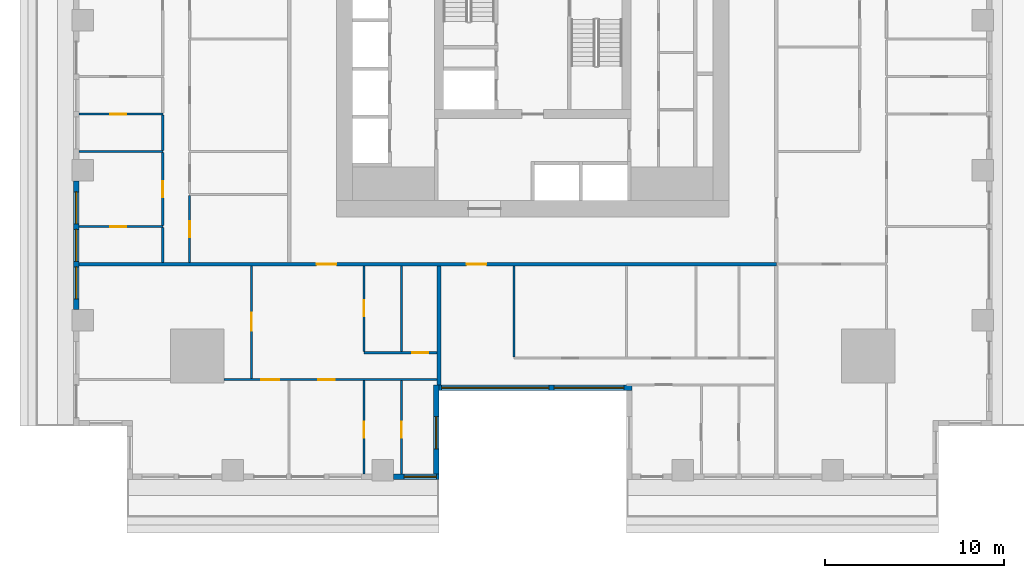
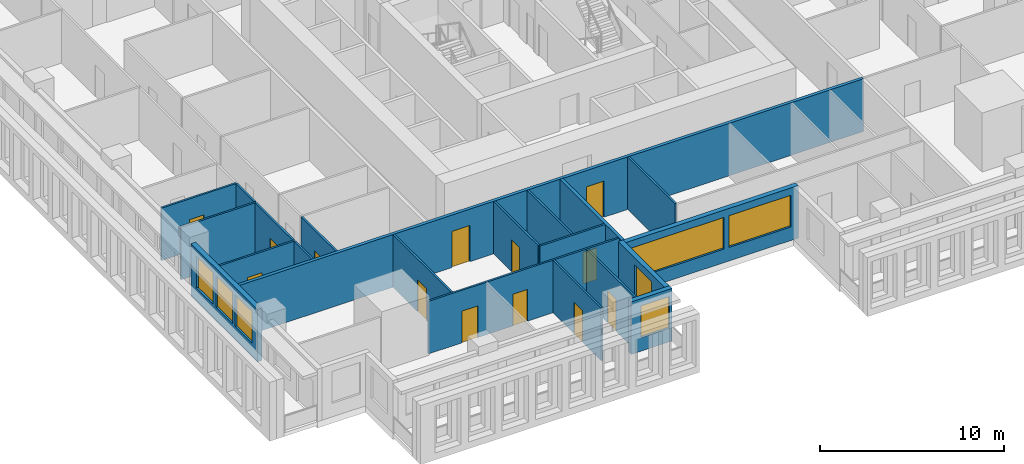
# One storey, part 2 of 15: 21 walls, 13 doors, 7 windows, 20 openings.
"""IFC4 building model written with IfcOpenShell, lengths in metres."""

import ifcopenshell
import ifcopenshell.guid

model = None  # the IFC model being written
_history = None  # IfcOwnerHistory: only IFC2X3 demands one
_inside = {}  # id of a spatial element -> (the spatial element, [elements in it])
_under = {}  # id of a project, library or spatial element -> (it, [spatial elements below it])
_declared = {}  # id of a project -> (the project, [libraries it declares])
_typed = {}  # id of a type object -> (the type object, [elements of that type])
_made_of = {}  # id of a material, layer set ... -> (it, [elements and type objects made of it])


def new_model(schema):
    """Start an empty IFC model of exactly this schema.

    Asked for "IFC4X3", IfcOpenShell would pick the latest addendum, in which some entities
    have other attributes; the version numbers below select the first issue.
    IFC2X3 requires an IfcOwnerHistory on every rooted entity: one is made here for all.
    """
    global model, _history
    if schema == "IFC4X3":
        model = ifcopenshell.file(schema_version=(4, 3, 0, 0))
    else:
        model = ifcopenshell.file(schema=schema)
    _inside.clear()
    _under.clear()
    _declared.clear()
    _typed.clear()
    _made_of.clear()
    _history = None
    if model.schema == "IFC2X3":
        org = make("IfcOrganization", Name="unknown")
        user = make(
            "IfcPersonAndOrganization",
            ThePerson=make("IfcPerson", FamilyName="unknown"),
            TheOrganization=org,
        )
        app = make(
            "IfcApplication",
            ApplicationDeveloper=org,
            Version="unknown",
            ApplicationFullName="unknown",
            ApplicationIdentifier="unknown",
        )
        _history = make(
            "IfcOwnerHistory",
            OwningUser=user,
            OwningApplication=app,
            ChangeAction="ADDED",
            CreationDate=0,
        )
    return model


def make(cls, **values):
    """One entity of the class cls with the attributes given. An attribute that is None is left unset."""
    return model.create_entity(
        cls, **{name: value for name, value in values.items() if value is not None}
    )


def rooted(cls, **values):
    """An entity with a GlobalId (a new one), such as an element, a storey or a relation."""
    return make(cls, GlobalId=ifcopenshell.guid.new(), OwnerHistory=_history, **values)


def si_unit(unit_type, name, prefix=None):
    """IfcSIUnit, for example si_unit("LENGTHUNIT", "METRE", prefix="MILLI")."""
    return make("IfcSIUnit", UnitType=unit_type, Prefix=prefix, Name=name)


def assignment(units):
    """IfcUnitAssignment: the units of a project."""
    return None if units is None else make("IfcUnitAssignment", Units=units)


def point(xyz):
    """IfcCartesianPoint."""
    return None if xyz is None else make("IfcCartesianPoint", Coordinates=xyz)


def direction(xyz):
    """IfcDirection."""
    return None if xyz is None else make("IfcDirection", DirectionRatios=xyz)


def frame(location, z_axis=None, x_axis=None):
    """IfcAxis2Placement3D, a coordinate frame: its origin and axes. An axis left out is left unset."""
    return make(
        "IfcAxis2Placement3D",
        Location=point(location),
        Axis=direction(z_axis),
        RefDirection=direction(x_axis),
    )


def frame_2d(location, x_axis=None):
    """IfcAxis2Placement2D, a coordinate frame in the plane: its origin and x axis."""
    return make(
        "IfcAxis2Placement2D", Location=point(location), RefDirection=direction(x_axis)
    )


def origin():
    """The frame at (0, 0, 0) with its axes left unset."""
    return frame((0.0, 0.0, 0.0))


def place(relative_to, where):
    """IfcLocalPlacement: puts the frame where relative to a parent placement (None: the world)."""
    return make(
        "IfcLocalPlacement", PlacementRelTo=relative_to, RelativePlacement=where
    )


def context(
    kind, dimensions, precision=None, world=None, true_north=None, identifier=None
):
    """IfcGeometricRepresentationContext, for example the 3D "Model" context."""
    return make(
        "IfcGeometricRepresentationContext",
        ContextIdentifier=identifier,
        ContextType=kind,
        CoordinateSpaceDimension=dimensions,
        Precision=precision,
        WorldCoordinateSystem=world,
        TrueNorth=true_north,
    )


def subcontext(parent, identifier, kind, view, scale=None):
    """IfcGeometricRepresentationSubContext, for example "Body" below "Model"."""
    return make(
        "IfcGeometricRepresentationSubContext",
        ContextIdentifier=identifier,
        ContextType=kind,
        ParentContext=parent,
        TargetScale=scale,
        TargetView=view,
    )


def project(units=None, contexts=None):
    """IfcProject with its units and contexts."""
    return rooted(
        "IfcProject",
        Name="project",
        RepresentationContexts=contexts,
        UnitsInContext=assignment(units),
    )


def spatial(cls, under=None, at=None, **own):
    """A site, building, storey or space (cls), placed at a placement, below another one or the project."""
    s = rooted(cls, ObjectPlacement=at, **own)
    if under is not None:
        _under.setdefault(under.id(), (under, []))[1].append(s)
    return s


def profile(cls, at=None, kind="AREA", **sizes):
    """A parametric profile (cls). Its sizes go by their IFC names, for example OverallWidth=200.0."""
    return make(cls, ProfileType=kind, Position=at, **sizes)


def rectangle(**sizes):
    """IfcRectangleProfileDef."""
    return profile("IfcRectangleProfileDef", **sizes)


def extrude(swept, where, along, depth):
    """IfcExtrudedAreaSolid: the profile swept, set in the frame where, extruded along a direction by depth."""
    return make(
        "IfcExtrudedAreaSolid",
        SweptArea=swept,
        Position=where,
        ExtrudedDirection=direction(along),
        Depth=depth,
    )


def shape(context_of_items, identifier, shape_type, items):
    """IfcShapeRepresentation: the items that make up one representation, for example the "Body"."""
    return make(
        "IfcShapeRepresentation",
        ContextOfItems=context_of_items,
        RepresentationIdentifier=identifier,
        RepresentationType=shape_type,
        Items=items,
    )


def material(Name=None, Category=None):
    """IfcMaterial."""
    return make("IfcMaterial", Name=Name, Category=Category)


def layer(
    of_material, thickness, ventilated=None, Name=None, Category=None, Priority=None
):
    """IfcMaterialLayer: one layer of a wall or slab, of a material (None: an air gap)."""
    return make(
        "IfcMaterialLayer",
        Material=of_material,
        LayerThickness=thickness,
        IsVentilated=ventilated,
        Name=Name,
        Category=Category,
        Priority=Priority,
    )


def layer_set(layers, Name=None):
    """IfcMaterialLayerSet."""
    return make("IfcMaterialLayerSet", MaterialLayers=layers, LayerSetName=Name)


def made_of(thing, what):
    """Note that an element or type object is made of a material, layer set ...; save() writes the relation."""
    if what is not None:
        _made_of.setdefault(what.id(), (what, []))[1].append(thing)
    return thing


def type_object(cls, material=None, **own):
    """A type object (cls), such as IfcWallType, which elements share."""
    return made_of(rooted(cls, **own), material)


def element(
    cls,
    number,
    at=None,
    inside=None,
    cuts=None,
    type_object=None,
    material=None,
    context=None,
    identifier="Body",
    shape_type=None,
    held_by="IfcProductDefinitionShape",
    body=None,
    shapes=None,
    **own,
):
    """One element of the class cls, such as IfcWall. Its Tag is "e" and its number.

    at: its placement. inside: the storey or other place that contains it. cuts: it is an
    opening in that element (IfcRelVoidsElement). A single representation is given by context,
    identifier, shape_type and body (its items); several are given by shapes. held_by: the class
    of the entity that holds the representations. save() writes the other relations.
    """
    e = rooted(cls, Tag="e%d" % number, ObjectPlacement=at, **own)
    if body is not None:
        shapes = [shape(context, identifier, shape_type, body)]
    if shapes is not None:
        e.Representation = make(held_by, Representations=shapes)
    if inside is not None:
        _inside.setdefault(inside.id(), (inside, []))[1].append(e)
    if cuts is not None:
        rooted(
            "IfcRelVoidsElement", RelatingBuildingElement=cuts, RelatedOpeningElement=e
        )
    if type_object is not None:
        _typed.setdefault(type_object.id(), (type_object, []))[1].append(e)
    return made_of(e, material)


def fill(opening, filler):
    """IfcRelFillsElement: the door or window that sits in an opening."""
    return rooted(
        "IfcRelFillsElement",
        RelatingOpeningElement=opening,
        RelatedBuildingElement=filler,
    )


def aggregate(whole, parts):
    """IfcRelAggregates: a whole, such as a stair, and the parts it consists of."""
    return rooted("IfcRelAggregates", RelatingObject=whole, RelatedObjects=parts)


def save(model, path):
    """Write the relations noted so far, then the file.

    IfcRelAggregates (storeys below a building ...), IfcRelContainedInSpatialStructure (elements
    in a storey), IfcRelDefinesByType, IfcRelAssociatesMaterial and IfcRelDeclares: one each for
    every whole, place, type object, material and project.
    """
    for whole, parts in _under.values():
        aggregate(whole, parts)
    for where, things in _inside.values():
        rooted(
            "IfcRelContainedInSpatialStructure",
            RelatedElements=things,
            RelatingStructure=where,
        )
    for kind, things in _typed.values():
        rooted("IfcRelDefinesByType", RelatedObjects=things, RelatingType=kind)
    for what, things in _made_of.values():
        rooted("IfcRelAssociatesMaterial", RelatedObjects=things, RelatingMaterial=what)
    for by, libraries in _declared.values():
        rooted("IfcRelDeclares", RelatingContext=by, RelatedDefinitions=libraries)
    model.write(path)


model = new_model("IFC4")

# Units and contexts
model_context = context("Model", 3, precision=1e-05, world=origin(), true_north=direction((0.0, 1.0)))
body_context = subcontext(model_context, "Body", "Model", "MODEL_VIEW")
ifc_project = project(units=[si_unit("LENGTHUNIT", "METRE"), si_unit("AREAUNIT", "SQUARE_METRE"), si_unit("VOLUMEUNIT", "CUBIC_METRE"), si_unit("PLANEANGLEUNIT", "RADIAN"), si_unit("MASSUNIT", "GRAM", prefix="KILO")], contexts=[model_context])

# Site, building, storey
site_placement = place(None, origin())
site = spatial("IfcSite", under=ifc_project, at=site_placement, CompositionType="ELEMENT")
building_placement = place(site_placement, origin())
building = spatial("IfcBuilding", under=site, at=building_placement, Name="Khepri Terraces", CompositionType="ELEMENT")
storey_placement = place(building_placement, frame((0.0, 0.0, 38.699951171875)))
storey = spatial("IfcBuildingStorey", under=building, at=storey_placement, Name="L08", CompositionType="ELEMENT", Elevation=38.699951171875)

# Wall
ifc_material_1 = material(Name="Fire-rated gypsum plasterboard partition, mineral wool")
ifc_layer_1 = layer(ifc_material_1, 0.199951171875, Name="Fire-rated gypsum plasterboard partition, mineral wool")
ifc_layer_set_1 = layer_set([ifc_layer_1], Name="Fire-rated gypsum plasterboard partition, mineral wool")
wall_type_1 = type_object("IfcWallType", Name="WL-CORR-200", PredefinedType="PARTITIONING", material=ifc_layer_set_1)
wall_1_placement = place(storey_placement, frame((-5.25, -20.419921875, 0.0), z_axis=(0.0, 0.0, 1.0), x_axis=(0.0, 1.0, 0.0)))
element("IfcWall", 1, at=wall_1_placement, inside=storey, type_object=wall_type_1, Name="Partition P-008 L08", PredefinedType="PARTITIONING", context=body_context, shape_type="SweptSolid", body=[
    extrude(rectangle(XDim=6.669921875, YDim=0.199951171875, at=frame_2d((3.3349609375, 0.0))), origin(), (0.0, 0.0, 1.0), 3.47998046875),
])

# Wall, openings, doors
wall_2_placement = place(storey_placement, frame((-25.419921875, -13.64990234375, 0.0), z_axis=(0.0, 0.0, 1.0), x_axis=(1.0, 0.0, 0.0)))
wall_2 = element("IfcWall", 2, at=wall_2_placement, inside=storey, type_object=wall_type_1, Name="Partition P-023 L08", PredefinedType="PARTITIONING", context=body_context, shape_type="SweptSolid", body=[
    extrude(rectangle(XDim=39.06982421875, YDim=0.199951171875, at=frame_2d((19.534912109375, 0.0))), origin(), (0.0, 0.0, 1.0), 3.47998046875),
])
opening_1_placement = place(wall_2_placement, frame((13.320068359375, 0.0, 0.0)))
opening_1 = element("IfcOpeningElement", 3, at=opening_1_placement, cuts=wall_2, Name="Opening D1", PredefinedType="OPENING", context=body_context, shape_type="SweptSolid", body=[
    extrude(rectangle(XDim=1.10009765625, YDim=2.39990234375, at=frame_2d((0.550048828125, 1.199951171875))), frame((0.0, 0.10986328125, 0.0), z_axis=(0.0, -1.0, 0.0), x_axis=(1.0, 0.0, 0.0)), (0.0, 0.0, 1.0), 0.219970703125),
])
opening_2_placement = place(wall_2_placement, frame((21.719970703125, 0.0, 0.0)))
opening_2 = element("IfcOpeningElement", 4, at=opening_2_placement, cuts=wall_2, Name="Opening D1", PredefinedType="OPENING", context=body_context, shape_type="SweptSolid", body=[
    extrude(rectangle(XDim=1.10009765625, YDim=2.39990234375, at=frame_2d((0.550048828125, 1.199951171875))), frame((0.0, 0.10986328125, 0.0), z_axis=(0.0, -1.0, 0.0), x_axis=(1.0, 0.0, 0.0)), (0.0, 0.0, 1.0), 0.219970703125),
])
ifc_material_2 = material(Name="Solid-core timber door leaf, flat entrance door", Category="wood")
door_type_1 = type_object("IfcDoorType", Name="DR-ENT-1100", OperationType="NOTDEFINED", PredefinedType="DOOR", material=ifc_material_2)
door_1_placement = place(opening_1_placement, frame((1.10009765625, 0.0, 0.0), z_axis=(0.0, 0.0, 1.0), x_axis=(-1.0, 0.0, 0.0)))
door_1 = element("IfcDoor", 5, at=door_1_placement, inside=storey, type_object=door_type_1, Name="Flat A1 entrance door", OperationType="SINGLE_SWING_RIGHT", OverallHeight=2.39990234375, OverallWidth=1.10009765625, PredefinedType="DOOR", context=body_context, shape_type="SweptSolid", body=[
    extrude(rectangle(XDim=1.10009765625, YDim=2.39990234375, at=frame_2d((0.550048828125, 1.199951171875))), frame((0.0, 0.02490234375, 0.0), z_axis=(0.0, -1.0, 0.0), x_axis=(1.0, 0.0, 0.0)), (0.0, 0.0, 1.0), 0.050048828125),
])
fill(opening_1, door_1)
door_2_placement = place(opening_2_placement, frame((1.10009765625, 0.0, 0.0), z_axis=(0.0, 0.0, 1.0), x_axis=(-1.0, 0.0, 0.0)))
door_2 = element("IfcDoor", 6, at=door_2_placement, inside=storey, type_object=door_type_1, Name="Flat A2 entrance door", OperationType="SINGLE_SWING_LEFT", OverallHeight=2.39990234375, OverallWidth=1.10009765625, PredefinedType="DOOR", context=body_context, shape_type="SweptSolid", body=[
    extrude(rectangle(XDim=1.10009765625, YDim=2.39990234375, at=frame_2d((0.550048828125, 1.199951171875))), frame((0.0, 0.02490234375, 0.0), z_axis=(0.0, -1.0, 0.0), x_axis=(1.0, 0.0, 0.0)), (0.0, 0.0, 1.0), 0.050048828125),
])
fill(opening_2, door_2)

# Wall, openings, windows
ifc_material_3 = material(Name="Precast concrete C50/60 warm stone", Category="masonry")
ifc_layer_2 = layer(ifc_material_3, 0.300048828125, Name="Precast concrete C50/60 warm stone", Category="masonry")
ifc_layer_set_2 = layer_set([ifc_layer_2], Name="Precast concrete C50/60 warm stone")
wall_type_2 = type_object("IfcWallType", Name="WL-EXT-PRECAST-300", PredefinedType="STANDARD", material=ifc_layer_set_2)
wall_3_placement = place(storey_placement, frame((-25.570068359375, -9.0, 0.0), z_axis=(0.0, 0.0, 1.0), x_axis=(0.0, -1.0, 0.0)))
wall_3 = element("IfcWall", 7, at=wall_3_placement, inside=storey, type_object=wall_type_2, Name="External wall L08 W", PredefinedType="STANDARD", context=body_context, shape_type="SweptSolid", body=[
    extrude(rectangle(XDim=7.199951171875, YDim=0.300048828125, at=frame_2d((3.60009765625, 0.0))), origin(), (0.0, 0.0, 1.0), 3.47998046875),
])
opening_3_placement = place(wall_3_placement, frame((0.60009765625, 0.0, 0.89990234375)))
opening_3 = element("IfcOpeningElement", 8, at=opening_3_placement, cuts=wall_3, Name="Opening W1", PredefinedType="OPENING", context=body_context, shape_type="SweptSolid", body=[
    extrude(rectangle(XDim=1.800048828125, YDim=2.10009765625, at=frame_2d((0.89990234375, 1.050048828125))), frame((0.0, 0.16015625, 0.0), z_axis=(0.0, -1.0, 0.0), x_axis=(1.0, 0.0, 0.0)), (0.0, 0.0, 1.0), 0.320068359375),
])
opening_4_placement = place(wall_3_placement, frame((2.699951171875, 0.0, 0.89990234375)))
opening_4 = element("IfcOpeningElement", 9, at=opening_4_placement, cuts=wall_3, Name="Opening W1", PredefinedType="OPENING", context=body_context, shape_type="SweptSolid", body=[
    extrude(rectangle(XDim=1.800048828125, YDim=2.10009765625, at=frame_2d((0.89990234375, 1.050048828125))), frame((0.0, 0.16015625, 0.0), z_axis=(0.0, -1.0, 0.0), x_axis=(1.0, 0.0, 0.0)), (0.0, 0.0, 1.0), 0.320068359375),
])
opening_5_placement = place(wall_3_placement, frame((4.800048828125, 0.0, 0.89990234375)))
opening_5 = element("IfcOpeningElement", 10, at=opening_5_placement, cuts=wall_3, Name="Opening W1", PredefinedType="OPENING", context=body_context, shape_type="SweptSolid", body=[
    extrude(rectangle(XDim=1.800048828125, YDim=2.10009765625, at=frame_2d((0.89990234375, 1.050048828125))), frame((0.0, 0.16015625, 0.0), z_axis=(0.0, -1.0, 0.0), x_axis=(1.0, 0.0, 0.0)), (0.0, 0.0, 1.0), 0.320068359375),
])
ifc_material_4 = material(Name="Clear glass", Category="glass")
window_type_1 = type_object("IfcWindowType", Name="WIN-RES-1800x2100", PartitioningType="SINGLE_PANEL", PredefinedType="WINDOW", material=ifc_material_4)
window_1_placement = place(opening_3_placement, origin())
window_1 = element("IfcWindow", 11, at=window_1_placement, inside=storey, type_object=window_type_1, Name="Window L08 W", OverallHeight=2.10009765625, OverallWidth=1.800048828125, PartitioningType="SINGLE_PANEL", PredefinedType="WINDOW", context=body_context, shape_type="SweptSolid", body=[
    extrude(rectangle(XDim=1.800048828125, YDim=2.10009765625, at=frame_2d((0.89990234375, 1.050048828125))), frame((0.0, 0.030029296875, 0.0), z_axis=(0.0, -1.0, 0.0), x_axis=(1.0, 0.0, 0.0)), (0.0, 0.0, 1.0), 0.06005859375),
])
fill(opening_3, window_1)
window_2_placement = place(opening_4_placement, origin())
window_2 = element("IfcWindow", 12, at=window_2_placement, inside=storey, type_object=window_type_1, Name="Window L08 W", OverallHeight=2.10009765625, OverallWidth=1.800048828125, PartitioningType="SINGLE_PANEL", PredefinedType="WINDOW", context=body_context, shape_type="SweptSolid", body=[
    extrude(rectangle(XDim=1.800048828125, YDim=2.10009765625, at=frame_2d((0.89990234375, 1.050048828125))), frame((0.0, 0.030029296875, 0.0), z_axis=(0.0, -1.0, 0.0), x_axis=(1.0, 0.0, 0.0)), (0.0, 0.0, 1.0), 0.06005859375),
])
fill(opening_4, window_2)
window_3_placement = place(opening_5_placement, origin())
window_3 = element("IfcWindow", 13, at=window_3_placement, inside=storey, type_object=window_type_1, Name="Window L08 W", OverallHeight=2.10009765625, OverallWidth=1.800048828125, PartitioningType="SINGLE_PANEL", PredefinedType="WINDOW", context=body_context, shape_type="SweptSolid", body=[
    extrude(rectangle(XDim=1.800048828125, YDim=2.10009765625, at=frame_2d((0.89990234375, 1.050048828125))), frame((0.0, 0.030029296875, 0.0), z_axis=(0.0, -1.0, 0.0), x_axis=(1.0, 0.0, 0.0)), (0.0, 0.0, 1.0), 0.06005859375),
])
fill(opening_5, window_3)

# Wall, opening, window
wall_4_placement = place(storey_placement, frame((-7.800048828125, -25.570068359375, 0.0), z_axis=(0.0, 0.0, 1.0), x_axis=(1.0, 0.0, 0.0)))
wall_4 = element("IfcWall", 14, at=wall_4_placement, inside=storey, type_object=wall_type_2, Name="External wall L08 S", PredefinedType="STANDARD", context=body_context, shape_type="SweptSolid", body=[
    extrude(rectangle(XDim=2.550048828125, YDim=0.300048828125, at=frame_2d((1.27490234375, 0.0))), origin(), (0.0, 0.0, 1.0), 3.47998046875),
])
opening_6_placement = place(wall_4_placement, frame((0.60009765625, 0.0, 0.89990234375)))
opening_6 = element("IfcOpeningElement", 15, at=opening_6_placement, cuts=wall_4, Name="Opening W1", PredefinedType="OPENING", context=body_context, shape_type="SweptSolid", body=[
    extrude(rectangle(XDim=1.800048828125, YDim=2.10009765625, at=frame_2d((0.89990234375, 1.050048828125))), frame((0.0, 0.16015625, 0.0), z_axis=(0.0, -1.0, 0.0), x_axis=(1.0, 0.0, 0.0)), (0.0, 0.0, 1.0), 0.320068359375),
])
window_4_placement = place(opening_6_placement, origin())
window_4 = element("IfcWindow", 16, at=window_4_placement, inside=storey, type_object=window_type_1, Name="Window L08 S", OverallHeight=2.10009765625, OverallWidth=1.800048828125, PartitioningType="SINGLE_PANEL", PredefinedType="WINDOW", context=body_context, shape_type="SweptSolid", body=[
    extrude(rectangle(XDim=1.800048828125, YDim=2.10009765625, at=frame_2d((0.89990234375, 1.050048828125))), frame((0.0, 0.030029296875, 0.0), z_axis=(0.0, -1.0, 0.0), x_axis=(1.0, 0.0, 0.0)), (0.0, 0.0, 1.0), 0.06005859375),
])
fill(opening_6, window_4)

wall_5_placement = place(storey_placement, frame((-5.39990234375, -25.419921875, 0.0), z_axis=(0.0, 0.0, 1.0), x_axis=(0.0, 1.0, 0.0)))
wall_5 = element("IfcWall", 17, at=wall_5_placement, inside=storey, type_object=wall_type_2, Name="External wall L08 E", PredefinedType="STANDARD", context=body_context, shape_type="SweptSolid", body=[
    extrude(rectangle(XDim=5.0, YDim=0.300048828125, at=frame_2d((2.5, 0.0))), origin(), (0.0, 0.0, 1.0), 3.47998046875),
])
opening_7_placement = place(wall_5_placement, frame((1.419921875, 0.0, 0.89990234375)))
opening_7 = element("IfcOpeningElement", 18, at=opening_7_placement, cuts=wall_5, Name="Opening W1", PredefinedType="OPENING", context=body_context, shape_type="SweptSolid", body=[
    extrude(rectangle(XDim=1.800048828125, YDim=2.10009765625, at=frame_2d((0.89990234375, 1.050048828125))), frame((0.0, 0.16015625, 0.0), z_axis=(0.0, -1.0, 0.0), x_axis=(1.0, 0.0, 0.0)), (0.0, 0.0, 1.0), 0.320068359375),
])
window_5_placement = place(opening_7_placement, origin())
window_5 = element("IfcWindow", 19, at=window_5_placement, inside=storey, type_object=window_type_1, Name="Window L08 E", OverallHeight=2.10009765625, OverallWidth=1.800048828125, PartitioningType="SINGLE_PANEL", PredefinedType="WINDOW", context=body_context, shape_type="SweptSolid", body=[
    extrude(rectangle(XDim=1.800048828125, YDim=2.10009765625, at=frame_2d((0.89990234375, 1.050048828125))), frame((0.0, 0.030029296875, 0.0), z_axis=(0.0, -1.0, 0.0), x_axis=(1.0, 0.0, 0.0)), (0.0, 0.0, 1.0), 0.06005859375),
])
fill(opening_7, window_5)

# Wall, openings, windows
wall_6_placement = place(storey_placement, frame((-5.25, -20.570068359375, 0.0), z_axis=(0.0, 0.0, 1.0), x_axis=(1.0, 0.0, 0.0)))
wall_6 = element("IfcWall", 20, at=wall_6_placement, inside=storey, type_object=wall_type_2, Name="External wall L08 S", PredefinedType="STANDARD", context=body_context, shape_type="SweptSolid", body=[
    extrude(rectangle(XDim=10.800048828125, YDim=0.300048828125, at=frame_2d((5.39990234375, 0.0))), origin(), (0.0, 0.0, 1.0), 3.47998046875),
])
opening_8_placement = place(wall_6_placement, frame((0.14990234375, 0.0, 0.89990234375)))
opening_8 = element("IfcOpeningElement", 21, at=opening_8_placement, cuts=wall_6, Name="Opening W3", PredefinedType="OPENING", context=body_context, shape_type="SweptSolid", body=[
    extrude(rectangle(XDim=6.0, YDim=2.10009765625, at=frame_2d((3.0, 1.050048828125))), frame((0.0, 0.16015625, 0.0), z_axis=(0.0, -1.0, 0.0), x_axis=(1.0, 0.0, 0.0)), (0.0, 0.0, 1.0), 0.320068359375),
])
opening_9_placement = place(wall_6_placement, frame((6.449951171875, 0.0, 0.89990234375)))
opening_9 = element("IfcOpeningElement", 22, at=opening_9_placement, cuts=wall_6, Name="Opening W2", PredefinedType="OPENING", context=body_context, shape_type="SweptSolid", body=[
    extrude(rectangle(XDim=3.89990234375, YDim=2.10009765625, at=frame_2d((1.949951171875, 1.050048828125))), frame((0.0, 0.16015625, 0.0), z_axis=(0.0, -1.0, 0.0), x_axis=(1.0, 0.0, 0.0)), (0.0, 0.0, 1.0), 0.320068359375),
])
window_type_2 = type_object("IfcWindowType", Name="WIN-RES-3900x2100", PartitioningType="SINGLE_PANEL", PredefinedType="WINDOW", material=ifc_material_4)
window_6_placement = place(opening_9_placement, origin())
window_6 = element("IfcWindow", 23, at=window_6_placement, inside=storey, type_object=window_type_2, Name="Window L08 S", OverallHeight=2.10009765625, OverallWidth=3.89990234375, PartitioningType="SINGLE_PANEL", PredefinedType="WINDOW", context=body_context, shape_type="SweptSolid", body=[
    extrude(rectangle(XDim=3.89990234375, YDim=2.10009765625, at=frame_2d((1.949951171875, 1.050048828125))), frame((0.0, 0.030029296875, 0.0), z_axis=(0.0, -1.0, 0.0), x_axis=(1.0, 0.0, 0.0)), (0.0, 0.0, 1.0), 0.06005859375),
])
fill(opening_9, window_6)
window_type_3 = type_object("IfcWindowType", Name="WIN-RES-6000x2100", PartitioningType="SINGLE_PANEL", PredefinedType="WINDOW", material=ifc_material_4)
window_7_placement = place(opening_8_placement, origin())
window_7 = element("IfcWindow", 24, at=window_7_placement, inside=storey, type_object=window_type_3, Name="Window L08 S", OverallHeight=2.10009765625, OverallWidth=6.0, PartitioningType="SINGLE_PANEL", PredefinedType="WINDOW", context=body_context, shape_type="SweptSolid", body=[
    extrude(rectangle(XDim=6.0, YDim=2.10009765625, at=frame_2d((3.0, 1.050048828125))), frame((0.0, 0.030029296875, 0.0), z_axis=(0.0, -1.0, 0.0), x_axis=(1.0, 0.0, 0.0)), (0.0, 0.0, 1.0), 0.06005859375),
])
fill(opening_8, window_7)

# Wall, opening, door
ifc_material_5 = material(Name="Gypsum plasterboard partition")
ifc_layer_3 = layer(ifc_material_5, 0.1201171875, Name="Gypsum plasterboard partition")
ifc_layer_set_3 = layer_set([ifc_layer_3], Name="Gypsum plasterboard partition")
wall_type_3 = type_object("IfcWallType", Name="WL-PART-120", PredefinedType="PARTITIONING", material=ifc_layer_set_3)
wall_7_placement = place(storey_placement, frame((-9.449951171875, -25.419921875, 0.0), z_axis=(0.0, 0.0, 1.0), x_axis=(0.0, 1.0, 0.0)))
wall_7 = element("IfcWall", 25, at=wall_7_placement, inside=storey, type_object=wall_type_3, Name="Partition P-002 L08", PredefinedType="PARTITIONING", context=body_context, shape_type="SweptSolid", body=[
    extrude(rectangle(XDim=5.239990234375, YDim=0.1201171875, at=frame_2d((2.6201171875, 0.0))), origin(), (0.0, 0.0, 1.0), 3.47998046875),
])
opening_10_placement = place(wall_7_placement, frame((2.050048828125, 0.0, 0.0)))
opening_10 = element("IfcOpeningElement", 26, at=opening_10_placement, cuts=wall_7, Name="Opening D3", PredefinedType="OPENING", context=body_context, shape_type="SweptSolid", body=[
    extrude(rectangle(XDim=0.89990234375, YDim=2.10009765625, at=frame_2d((0.449951171875, 1.050048828125))), frame((0.0, 0.070068359375, 0.0), z_axis=(0.0, -1.0, 0.0), x_axis=(1.0, 0.0, 0.0)), (0.0, 0.0, 1.0), 0.14013671875),
])
ifc_material_6 = material(Name="Timber door leaf", Category="wood")
door_type_2 = type_object("IfcDoorType", Name="DR-INT-900", OperationType="NOTDEFINED", PredefinedType="DOOR", material=ifc_material_6)
door_3_placement = place(opening_10_placement, frame((0.89990234375, 0.0, 0.0), z_axis=(0.0, 0.0, 1.0), x_axis=(-1.0, 0.0, 0.0)))
door_3 = element("IfcDoor", 27, at=door_3_placement, inside=storey, type_object=door_type_2, Name="Door Dressing Room", OperationType="SINGLE_SWING_RIGHT", OverallHeight=2.10009765625, OverallWidth=0.89990234375, PredefinedType="DOOR", context=body_context, shape_type="SweptSolid", body=[
    extrude(rectangle(XDim=0.89990234375, YDim=2.10009765625, at=frame_2d((0.449951171875, 1.050048828125))), frame((0.0, 0.02490234375, 0.0), z_axis=(0.0, -1.0, 0.0), x_axis=(1.0, 0.0, 0.0)), (0.0, 0.0, 1.0), 0.050048828125),
])
fill(opening_10, door_3)

wall_8_placement = place(storey_placement, frame((-7.35009765625, -25.419921875, 0.0), z_axis=(0.0, 0.0, 1.0), x_axis=(0.0, 1.0, 0.0)))
wall_8 = element("IfcWall", 28, at=wall_8_placement, inside=storey, type_object=wall_type_3, Name="Partition P-003 L08", PredefinedType="PARTITIONING", context=body_context, shape_type="SweptSolid", body=[
    extrude(rectangle(XDim=5.239990234375, YDim=0.1201171875, at=frame_2d((2.6201171875, 0.0))), origin(), (0.0, 0.0, 1.0), 3.47998046875),
])
opening_11_placement = place(wall_8_placement, frame((2.050048828125, 0.0, 0.0)))
opening_11 = element("IfcOpeningElement", 29, at=opening_11_placement, cuts=wall_8, Name="Opening D4", PredefinedType="OPENING", context=body_context, shape_type="SweptSolid", body=[
    extrude(rectangle(XDim=0.89990234375, YDim=2.10009765625, at=frame_2d((0.449951171875, 1.050048828125))), frame((0.0, 0.070068359375, 0.0), z_axis=(0.0, -1.0, 0.0), x_axis=(1.0, 0.0, 0.0)), (0.0, 0.0, 1.0), 0.14013671875),
])
ifc_material_7 = material(Name="Timber door leaf, moisture resistant", Category="wood")
door_type_3 = type_object("IfcDoorType", Name="DR-WET-900", OperationType="NOTDEFINED", PredefinedType="DOOR", material=ifc_material_7)
door_4_placement = place(opening_11_placement, frame((0.89990234375, 0.0, 0.0), z_axis=(0.0, 0.0, 1.0), x_axis=(-1.0, 0.0, 0.0)))
door_4 = element("IfcDoor", 30, at=door_4_placement, inside=storey, type_object=door_type_3, Name="Door Bathroom", OperationType="SINGLE_SWING_RIGHT", OverallHeight=2.10009765625, OverallWidth=0.89990234375, PredefinedType="DOOR", context=body_context, shape_type="SweptSolid", body=[
    extrude(rectangle(XDim=0.89990234375, YDim=2.10009765625, at=frame_2d((0.449951171875, 1.050048828125))), frame((0.0, 0.02490234375, 0.0), z_axis=(0.0, -1.0, 0.0), x_axis=(1.0, 0.0, 0.0)), (0.0, 0.0, 1.0), 0.050048828125),
])
fill(opening_11, door_4)

# Wall, openings, doors
wall_9_placement = place(storey_placement, frame((-17.300048828125, -20.1201171875, 0.0), z_axis=(0.0, 0.0, 1.0), x_axis=(1.0, 0.0, 0.0)))
wall_9 = element("IfcWall", 31, at=wall_9_placement, inside=storey, type_object=wall_type_3, Name="Partition P-012 L08", PredefinedType="PARTITIONING", context=body_context, shape_type="SweptSolid", body=[
    extrude(rectangle(XDim=11.949951171875, YDim=0.1201171875, at=frame_2d((5.97509765625, 0.0))), origin(), (0.0, 0.0, 1.0), 3.47998046875),
])
opening_12_placement = place(wall_9_placement, frame((2.10009765625, 0.0, 0.0)))
opening_12 = element("IfcOpeningElement", 32, at=opening_12_placement, cuts=wall_9, Name="Opening D2", PredefinedType="OPENING", context=body_context, shape_type="SweptSolid", body=[
    extrude(rectangle(XDim=1.0, YDim=2.10009765625, at=frame_2d((0.5, 1.050048828125))), frame((0.0, 0.070068359375, 0.0), z_axis=(0.0, -1.0, 0.0), x_axis=(1.0, 0.0, 0.0)), (0.0, 0.0, 1.0), 0.14013671875),
])
opening_13_placement = place(wall_9_placement, frame((5.300048828125, 0.0, 0.0)))
opening_13 = element("IfcOpeningElement", 33, at=opening_13_placement, cuts=wall_9, Name="Opening D3", PredefinedType="OPENING", context=body_context, shape_type="SweptSolid", body=[
    extrude(rectangle(XDim=0.89990234375, YDim=2.10009765625, at=frame_2d((0.449951171875, 1.050048828125))), frame((0.0, 0.070068359375, 0.0), z_axis=(0.0, -1.0, 0.0), x_axis=(1.0, 0.0, 0.0)), (0.0, 0.0, 1.0), 0.14013671875),
])
ifc_material_8 = material(Name="Timber door leaf, living room door", Category="wood")
door_type_4 = type_object("IfcDoorType", Name="DR-INT-1000", OperationType="NOTDEFINED", PredefinedType="DOOR", material=ifc_material_8)
door_5_placement = place(opening_12_placement, frame((1.0, 0.0, 0.0), z_axis=(0.0, 0.0, 1.0), x_axis=(-1.0, 0.0, 0.0)))
door_5 = element("IfcDoor", 34, at=door_5_placement, inside=storey, type_object=door_type_4, Name="Door Living Room", OperationType="SINGLE_SWING_RIGHT", OverallHeight=2.10009765625, OverallWidth=1.0, PredefinedType="DOOR", context=body_context, shape_type="SweptSolid", body=[
    extrude(rectangle(XDim=1.0, YDim=2.10009765625, at=frame_2d((0.5, 1.050048828125))), frame((0.0, 0.02490234375, 0.0), z_axis=(0.0, -1.0, 0.0), x_axis=(1.0, 0.0, 0.0)), (0.0, 0.0, 1.0), 0.050048828125),
])
fill(opening_12, door_5)
door_6_placement = place(opening_13_placement, frame((0.89990234375, 0.0, 0.0), z_axis=(0.0, 0.0, 1.0), x_axis=(-1.0, 0.0, 0.0)))
door_6 = element("IfcDoor", 35, at=door_6_placement, inside=storey, type_object=door_type_2, Name="Door Master Bedroom", OperationType="SINGLE_SWING_RIGHT", OverallHeight=2.10009765625, OverallWidth=0.89990234375, PredefinedType="DOOR", context=body_context, shape_type="SweptSolid", body=[
    extrude(rectangle(XDim=0.89990234375, YDim=2.10009765625, at=frame_2d((0.449951171875, 1.050048828125))), frame((0.0, 0.02490234375, 0.0), z_axis=(0.0, -1.0, 0.0), x_axis=(1.0, 0.0, 0.0)), (0.0, 0.0, 1.0), 0.050048828125),
])
fill(opening_13, door_6)

# Wall, opening, door
wall_10_placement = place(storey_placement, frame((-15.75, -20.06005859375, 0.0), z_axis=(0.0, 0.0, 1.0), x_axis=(0.0, 1.0, 0.0)))
wall_10 = element("IfcWall", 36, at=wall_10_placement, inside=storey, type_object=wall_type_3, Name="Partition P-013 L08", PredefinedType="PARTITIONING", context=body_context, shape_type="SweptSolid", body=[
    extrude(rectangle(XDim=6.31005859375, YDim=0.1201171875, at=frame_2d((3.155029296875, 0.0))), origin(), (0.0, 0.0, 1.0), 3.47998046875),
])
opening_14_placement = place(wall_10_placement, frame((2.675048828125, 0.0, 0.0)))
opening_14 = element("IfcOpeningElement", 37, at=opening_14_placement, cuts=wall_10, Name="Opening D2", PredefinedType="OPENING", context=body_context, shape_type="SweptSolid", body=[
    extrude(rectangle(XDim=1.0, YDim=2.10009765625, at=frame_2d((0.5, 1.050048828125))), frame((0.0, 0.070068359375, 0.0), z_axis=(0.0, -1.0, 0.0), x_axis=(1.0, 0.0, 0.0)), (0.0, 0.0, 1.0), 0.14013671875),
])
door_7_placement = place(opening_14_placement, origin())
door_7 = element("IfcDoor", 38, at=door_7_placement, inside=storey, type_object=door_type_4, Name="Door Family Room", OperationType="SINGLE_SWING_RIGHT", OverallHeight=2.10009765625, OverallWidth=1.0, PredefinedType="DOOR", context=body_context, shape_type="SweptSolid", body=[
    extrude(rectangle(XDim=1.0, YDim=2.10009765625, at=frame_2d((0.5, 1.050048828125))), frame((0.0, 0.02490234375, 0.0), z_axis=(0.0, -1.0, 0.0), x_axis=(1.0, 0.0, 0.0)), (0.0, 0.0, 1.0), 0.050048828125),
])
fill(opening_14, door_7)

# Wall
wall_11_placement = place(storey_placement, frame((-1.050048828125, -18.860107421875, 0.0), z_axis=(0.0, 0.0, 1.0), x_axis=(0.0, 1.0, 0.0)))
element("IfcWall", 39, at=wall_11_placement, inside=storey, type_object=wall_type_3, Name="Partition P-015 L08", PredefinedType="PARTITIONING", context=body_context, shape_type="SweptSolid", body=[
    extrude(rectangle(XDim=5.110107421875, YDim=0.1201171875, at=frame_2d((2.55517578125, 0.0))), origin(), (0.0, 0.0, 1.0), 3.47998046875),
])

# Wall, opening, door
wall_12_placement = place(storey_placement, frame((-9.449951171875, -18.6201171875, 0.0), z_axis=(0.0, 0.0, 1.0), x_axis=(1.0, 0.0, 0.0)))
wall_12 = element("IfcWall", 40, at=wall_12_placement, inside=storey, type_object=wall_type_3, Name="Partition P-019 L08", PredefinedType="PARTITIONING", context=body_context, shape_type="SweptSolid", body=[
    extrude(rectangle(XDim=4.099853515625, YDim=0.1201171875, at=frame_2d((2.0498046875, 0.0))), origin(), (0.0, 0.0, 1.0), 3.47998046875),
])
opening_15_placement = place(wall_12_placement, frame((2.699951171875, 0.0, 0.0)))
opening_15 = element("IfcOpeningElement", 41, at=opening_15_placement, cuts=wall_12, Name="Opening D3", PredefinedType="OPENING", context=body_context, shape_type="SweptSolid", body=[
    extrude(rectangle(XDim=0.89990234375, YDim=2.10009765625, at=frame_2d((0.449951171875, 1.050048828125))), frame((0.0, 0.070068359375, 0.0), z_axis=(0.0, -1.0, 0.0), x_axis=(1.0, 0.0, 0.0)), (0.0, 0.0, 1.0), 0.14013671875),
])
door_8_placement = place(opening_15_placement, origin())
door_8 = element("IfcDoor", 42, at=door_8_placement, inside=storey, type_object=door_type_2, Name="Door Kitchen", OperationType="SINGLE_SWING_RIGHT", OverallHeight=2.10009765625, OverallWidth=0.89990234375, PredefinedType="DOOR", context=body_context, shape_type="SweptSolid", body=[
    extrude(rectangle(XDim=0.89990234375, YDim=2.10009765625, at=frame_2d((0.449951171875, 1.050048828125))), frame((0.0, 0.02490234375, 0.0), z_axis=(0.0, -1.0, 0.0), x_axis=(1.0, 0.0, 0.0)), (0.0, 0.0, 1.0), 0.050048828125),
])
fill(opening_15, door_8)

wall_13_placement = place(storey_placement, frame((-9.449951171875, -18.56005859375, 0.0), z_axis=(0.0, 0.0, 1.0), x_axis=(0.0, 1.0, 0.0)))
wall_13 = element("IfcWall", 43, at=wall_13_placement, inside=storey, type_object=wall_type_3, Name="Partition P-020 L08", PredefinedType="PARTITIONING", context=body_context, shape_type="SweptSolid", body=[
    extrude(rectangle(XDim=4.81005859375, YDim=0.1201171875, at=frame_2d((2.405029296875, 0.0))), origin(), (0.0, 0.0, 1.0), 3.47998046875),
])
opening_16_placement = place(wall_13_placement, frame((1.97509765625, 0.0, 0.0)))
opening_16 = element("IfcOpeningElement", 44, at=opening_16_placement, cuts=wall_13, Name="Opening D4", PredefinedType="OPENING", context=body_context, shape_type="SweptSolid", body=[
    extrude(rectangle(XDim=0.89990234375, YDim=2.10009765625, at=frame_2d((0.449951171875, 1.050048828125))), frame((0.0, 0.070068359375, 0.0), z_axis=(0.0, -1.0, 0.0), x_axis=(1.0, 0.0, 0.0)), (0.0, 0.0, 1.0), 0.14013671875),
])
door_9_placement = place(opening_16_placement, frame((0.89990234375, 0.0, 0.0), z_axis=(0.0, 0.0, 1.0), x_axis=(-1.0, 0.0, 0.0)))
door_9 = element("IfcDoor", 45, at=door_9_placement, inside=storey, type_object=door_type_3, Name="Door Guest Bathroom", OperationType="SINGLE_SWING_LEFT", OverallHeight=2.10009765625, OverallWidth=0.89990234375, PredefinedType="DOOR", context=body_context, shape_type="SweptSolid", body=[
    extrude(rectangle(XDim=0.89990234375, YDim=2.10009765625, at=frame_2d((0.449951171875, 1.050048828125))), frame((0.0, 0.02490234375, 0.0), z_axis=(0.0, -1.0, 0.0), x_axis=(1.0, 0.0, 0.0)), (0.0, 0.0, 1.0), 0.050048828125),
])
fill(opening_16, door_9)

# Walls
wall_14_placement = place(storey_placement, frame((-7.35009765625, -18.56005859375, 0.0), z_axis=(0.0, 0.0, 1.0), x_axis=(0.0, 1.0, 0.0)))
element("IfcWall", 46, at=wall_14_placement, inside=storey, type_object=wall_type_3, Name="Partition P-021 L08", PredefinedType="PARTITIONING", context=body_context, shape_type="SweptSolid", body=[
    extrude(rectangle(XDim=4.81005859375, YDim=0.1201171875, at=frame_2d((2.405029296875, 0.0))), origin(), (0.0, 0.0, 1.0), 3.47998046875),
])
wall_15_placement = place(storey_placement, frame((-20.719970703125, -13.550048828125, 0.0), z_axis=(0.0, 0.0, 1.0), x_axis=(0.0, 1.0, 0.0)))
element("IfcWall", 47, at=wall_15_placement, inside=storey, type_object=wall_type_3, Name="Partition P-026 L08", PredefinedType="PARTITIONING", context=body_context, shape_type="SweptSolid", body=[
    extrude(rectangle(XDim=1.93994140625, YDim=0.1201171875, at=frame_2d((0.969970703125, 0.0))), origin(), (0.0, 0.0, 1.0), 3.47998046875),
])

# Wall, opening, door
wall_16_placement = place(storey_placement, frame((-19.219970703125, -13.550048828125, 0.0), z_axis=(0.0, 0.0, 1.0), x_axis=(0.0, 1.0, 0.0)))
wall_16 = element("IfcWall", 48, at=wall_16_placement, inside=storey, type_object=wall_type_3, Name="Partition P-027 L08", PredefinedType="PARTITIONING", context=body_context, shape_type="SweptSolid", body=[
    extrude(rectangle(XDim=3.739990234375, YDim=0.1201171875, at=frame_2d((1.8701171875, 0.0))), origin(), (0.0, 0.0, 1.0), 3.47998046875),
])
opening_17_placement = place(wall_16_placement, frame((1.39990234375, 0.0, 0.0)))
opening_17 = element("IfcOpeningElement", 49, at=opening_17_placement, cuts=wall_16, Name="Opening D4", PredefinedType="OPENING", context=body_context, shape_type="SweptSolid", body=[
    extrude(rectangle(XDim=0.89990234375, YDim=2.10009765625, at=frame_2d((0.449951171875, 1.050048828125))), frame((0.0, 0.070068359375, 0.0), z_axis=(0.0, -1.0, 0.0), x_axis=(1.0, 0.0, 0.0)), (0.0, 0.0, 1.0), 0.14013671875),
])
door_10_placement = place(opening_17_placement, frame((0.89990234375, 0.0, 0.0), z_axis=(0.0, 0.0, 1.0), x_axis=(-1.0, 0.0, 0.0)))
door_10 = element("IfcDoor", 50, at=door_10_placement, inside=storey, type_object=door_type_3, Name="Door Guest Bathroom", OperationType="SINGLE_SWING_RIGHT", OverallHeight=2.10009765625, OverallWidth=0.89990234375, PredefinedType="DOOR", context=body_context, shape_type="SweptSolid", body=[
    extrude(rectangle(XDim=0.89990234375, YDim=2.10009765625, at=frame_2d((0.449951171875, 1.050048828125))), frame((0.0, 0.02490234375, 0.0), z_axis=(0.0, -1.0, 0.0), x_axis=(1.0, 0.0, 0.0)), (0.0, 0.0, 1.0), 0.050048828125),
])
fill(opening_17, door_10)

wall_17_placement = place(storey_placement, frame((-25.419921875, -11.550048828125, 0.0), z_axis=(0.0, 0.0, 1.0), x_axis=(1.0, 0.0, 0.0)))
wall_17 = element("IfcWall", 51, at=wall_17_placement, inside=storey, type_object=wall_type_3, Name="Partition P-030 L08", PredefinedType="PARTITIONING", context=body_context, shape_type="SweptSolid", body=[
    extrude(rectangle(XDim=4.699951171875, YDim=0.1201171875, at=frame_2d((2.35009765625, 0.0))), origin(), (0.0, 0.0, 1.0), 3.47998046875),
])
opening_18_placement = place(wall_17_placement, frame((1.75, 0.0, 0.0)))
opening_18 = element("IfcOpeningElement", 52, at=opening_18_placement, cuts=wall_17, Name="Opening D4", PredefinedType="OPENING", context=body_context, shape_type="SweptSolid", body=[
    extrude(rectangle(XDim=0.89990234375, YDim=2.10009765625, at=frame_2d((0.449951171875, 1.050048828125))), frame((0.0, 0.070068359375, 0.0), z_axis=(0.0, -1.0, 0.0), x_axis=(1.0, 0.0, 0.0)), (0.0, 0.0, 1.0), 0.14013671875),
])
door_11_placement = place(opening_18_placement, frame((0.89990234375, 0.0, 0.0), z_axis=(0.0, 0.0, 1.0), x_axis=(-1.0, 0.0, 0.0)))
door_11 = element("IfcDoor", 53, at=door_11_placement, inside=storey, type_object=door_type_3, Name="Door Bathroom", OperationType="SINGLE_SWING_RIGHT", OverallHeight=2.10009765625, OverallWidth=0.89990234375, PredefinedType="DOOR", context=body_context, shape_type="SweptSolid", body=[
    extrude(rectangle(XDim=0.89990234375, YDim=2.10009765625, at=frame_2d((0.449951171875, 1.050048828125))), frame((0.0, 0.02490234375, 0.0), z_axis=(0.0, -1.0, 0.0), x_axis=(1.0, 0.0, 0.0)), (0.0, 0.0, 1.0), 0.050048828125),
])
fill(opening_18, door_11)

wall_18_placement = place(storey_placement, frame((-20.719970703125, -11.489990234375, 0.0), z_axis=(0.0, 0.0, 1.0), x_axis=(0.0, 1.0, 0.0)))
wall_18 = element("IfcWall", 54, at=wall_18_placement, inside=storey, type_object=wall_type_3, Name="Partition P-032 L08", PredefinedType="PARTITIONING", context=body_context, shape_type="SweptSolid", body=[
    extrude(rectangle(XDim=4.080078125, YDim=0.1201171875, at=frame_2d((2.0400390625, 0.0))), origin(), (0.0, 0.0, 1.0), 3.47998046875),
])
opening_19_placement = place(wall_18_placement, frame((1.590087890625, 0.0, 0.0)))
opening_19 = element("IfcOpeningElement", 55, at=opening_19_placement, cuts=wall_18, Name="Opening D3", PredefinedType="OPENING", context=body_context, shape_type="SweptSolid", body=[
    extrude(rectangle(XDim=0.89990234375, YDim=2.10009765625, at=frame_2d((0.449951171875, 1.050048828125))), frame((0.0, 0.070068359375, 0.0), z_axis=(0.0, -1.0, 0.0), x_axis=(1.0, 0.0, 0.0)), (0.0, 0.0, 1.0), 0.14013671875),
])
door_12_placement = place(opening_19_placement, origin())
door_12 = element("IfcDoor", 56, at=door_12_placement, inside=storey, type_object=door_type_2, Name="Door Bedroom", OperationType="SINGLE_SWING_RIGHT", OverallHeight=2.10009765625, OverallWidth=0.89990234375, PredefinedType="DOOR", context=body_context, shape_type="SweptSolid", body=[
    extrude(rectangle(XDim=0.89990234375, YDim=2.10009765625, at=frame_2d((0.449951171875, 1.050048828125))), frame((0.0, 0.02490234375, 0.0), z_axis=(0.0, -1.0, 0.0), x_axis=(1.0, 0.0, 0.0)), (0.0, 0.0, 1.0), 0.050048828125),
])
fill(opening_19, door_12)

# Walls
wall_19_placement = place(storey_placement, frame((-25.419921875, -7.35009765625, 0.0), z_axis=(0.0, 0.0, 1.0), x_axis=(1.0, 0.0, 0.0)))
element("IfcWall", 57, at=wall_19_placement, inside=storey, type_object=wall_type_3, Name="Partition P-036 L08", PredefinedType="PARTITIONING", context=body_context, shape_type="SweptSolid", body=[
    extrude(rectangle(XDim=4.699951171875, YDim=0.1201171875, at=frame_2d((2.35009765625, 0.0))), origin(), (0.0, 0.0, 1.0), 3.47998046875),
])
wall_20_placement = place(storey_placement, frame((-20.719970703125, -7.2900390625, 0.0), z_axis=(0.0, 0.0, 1.0), x_axis=(0.0, 1.0, 0.0)))
element("IfcWall", 58, at=wall_20_placement, inside=storey, type_object=wall_type_3, Name="Partition P-039 L08", PredefinedType="PARTITIONING", context=body_context, shape_type="SweptSolid", body=[
    extrude(rectangle(XDim=1.97998046875, YDim=0.1201171875, at=frame_2d((0.989990234375, 0.0))), origin(), (0.0, 0.0, 1.0), 3.47998046875),
])

# Wall, opening, door
wall_21_placement = place(storey_placement, frame((-25.419921875, -5.25, 0.0), z_axis=(0.0, 0.0, 1.0), x_axis=(1.0, 0.0, 0.0)))
wall_21 = element("IfcWall", 59, at=wall_21_placement, inside=storey, type_object=wall_type_3, Name="Partition P-042 L08", PredefinedType="PARTITIONING", context=body_context, shape_type="SweptSolid", body=[
    extrude(rectangle(XDim=4.699951171875, YDim=0.1201171875, at=frame_2d((2.35009765625, 0.0))), origin(), (0.0, 0.0, 1.0), 3.47998046875),
])
opening_20_placement = place(wall_21_placement, frame((1.75, 0.0, 0.0)))
opening_20 = element("IfcOpeningElement", 60, at=opening_20_placement, cuts=wall_21, Name="Opening D4", PredefinedType="OPENING", context=body_context, shape_type="SweptSolid", body=[
    extrude(rectangle(XDim=0.89990234375, YDim=2.10009765625, at=frame_2d((0.449951171875, 1.050048828125))), frame((0.0, 0.070068359375, 0.0), z_axis=(0.0, -1.0, 0.0), x_axis=(1.0, 0.0, 0.0)), (0.0, 0.0, 1.0), 0.14013671875),
])
door_13_placement = place(opening_20_placement, frame((0.89990234375, 0.0, 0.0), z_axis=(0.0, 0.0, 1.0), x_axis=(-1.0, 0.0, 0.0)))
door_13 = element("IfcDoor", 61, at=door_13_placement, inside=storey, type_object=door_type_3, Name="Door Bathroom", OperationType="SINGLE_SWING_RIGHT", OverallHeight=2.10009765625, OverallWidth=0.89990234375, PredefinedType="DOOR", context=body_context, shape_type="SweptSolid", body=[
    extrude(rectangle(XDim=0.89990234375, YDim=2.10009765625, at=frame_2d((0.449951171875, 1.050048828125))), frame((0.0, 0.02490234375, 0.0), z_axis=(0.0, -1.0, 0.0), x_axis=(1.0, 0.0, 0.0)), (0.0, 0.0, 1.0), 0.050048828125),
])
fill(opening_20, door_13)

save(model, "model.ifc")
